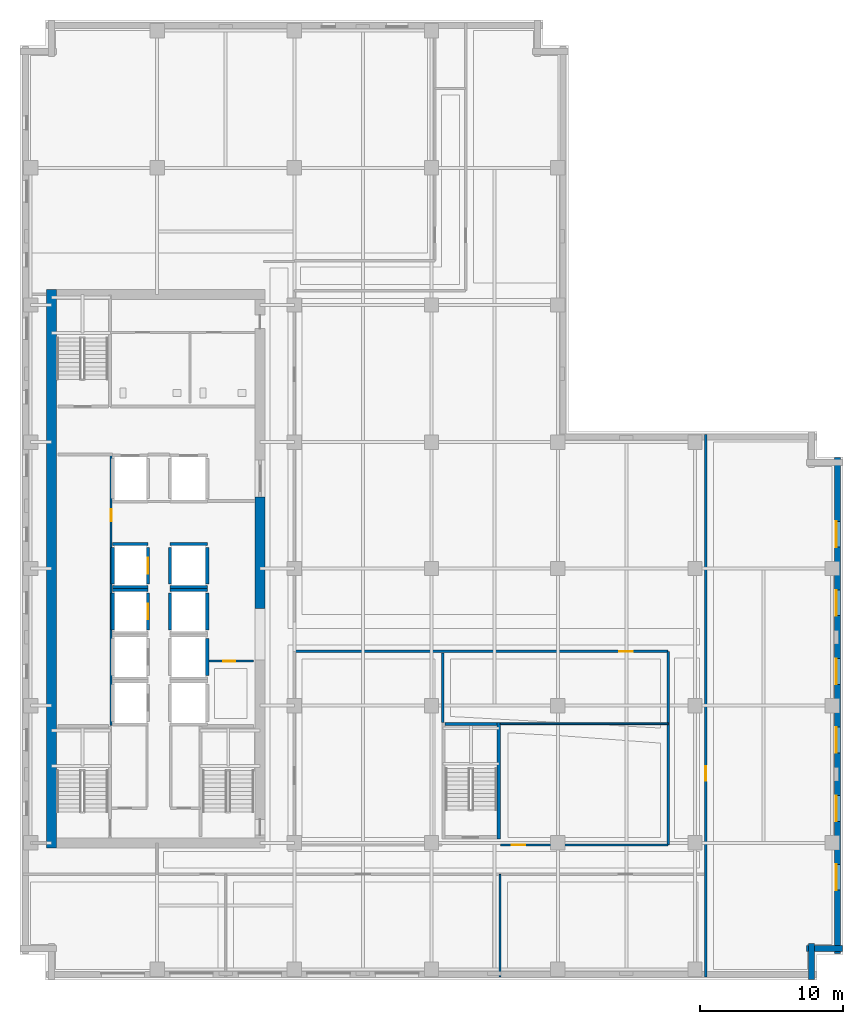
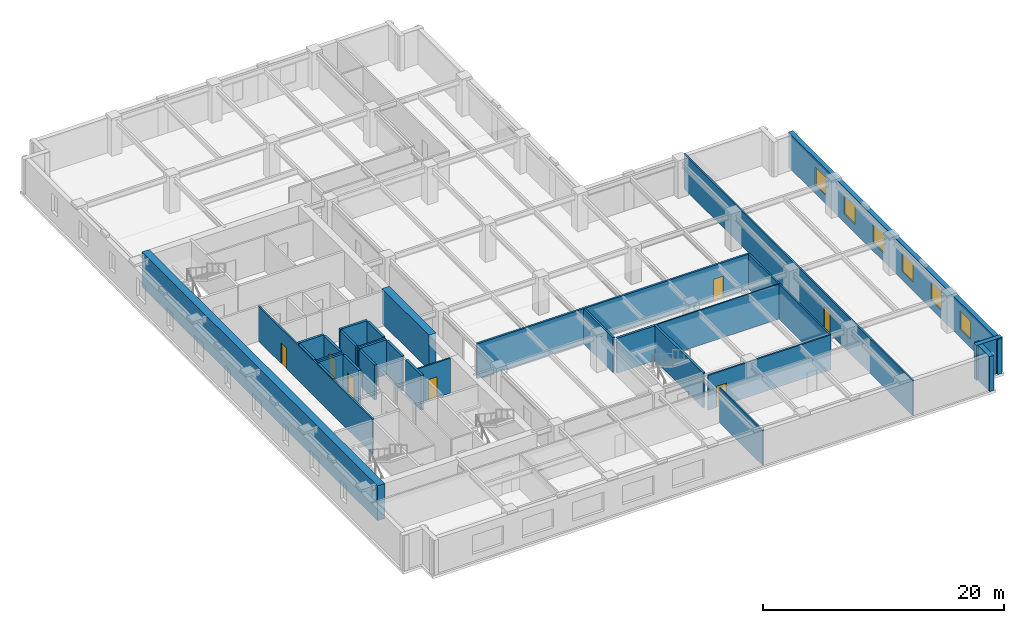
# One storey, part 5 of 12: 31 walls, 7 doors, 6 windows, 13 openings.
"""IFC4 building model written with IfcOpenShell, lengths in metres."""

from ifc_helpers import new_model, si_unit, direction, frame, frame_2d, origin, place, context, subcontext, project, spatial, rectangle, extrude, material, layer, layer_set, type_object, element, fill, save


model = new_model("IFC4")

# Units and contexts
model_context = context("Model", 3, precision=1e-05, world=origin(), true_north=direction((0.0, 1.0)))
body_context = subcontext(model_context, "Body", "Model", "MODEL_VIEW")
ifc_project = project(units=[si_unit("LENGTHUNIT", "METRE"), si_unit("AREAUNIT", "SQUARE_METRE"), si_unit("VOLUMEUNIT", "CUBIC_METRE"), si_unit("PLANEANGLEUNIT", "RADIAN"), si_unit("MASSUNIT", "GRAM", prefix="KILO")], contexts=[model_context])

# Site, building, storey
site_placement = place(None, origin())
site = spatial("IfcSite", under=ifc_project, at=site_placement, CompositionType="ELEMENT")
building_placement = place(site_placement, origin())
building = spatial("IfcBuilding", under=site, at=building_placement, Name="Norrvale University Quadrangle", CompositionType="ELEMENT")
storey_placement = place(building_placement, frame((0.0, 0.0, 139.39990234375)))
storey = spatial("IfcBuildingStorey", under=building, at=storey_placement, Name="L35", CompositionType="ELEMENT", Elevation=139.39990234375)

# Walls
ifc_material_1 = material(Name="Buff Norman Clay Brick Masonry", Category="masonry")
ifc_layer_1 = layer(ifc_material_1, 0.419921875, Name="Buff Norman Clay Brick Masonry")
ifc_layer_set_1 = layer_set([ifc_layer_1], Name="Buff Norman Clay Brick Masonry")
wall_type_1 = type_object("IfcWallType", Name="Wall Buff Brick 420", PredefinedType="SOLIDWALL", material=ifc_layer_set_1)
for number, where, z_axis, x_axis, name in (
    (1, (55.409912109375, 0.0400390625, 0.0), (0.0, 0.0, 1.0), (0.0, 1.0, 0.0), "Exterior Brick Facade Wall L35-02.1"),
    (2, (55.06005859375, 2.18994140625, 0.0), (0.0, 0.0, 1.0), (1.0, 0.0, 0.0), "Exterior Brick Facade Wall L35-03.1"),
):
    element("IfcWall", number, at=place(storey_placement, frame(where, z_axis=z_axis, x_axis=x_axis)), inside=storey, type_object=wall_type_1, Name=name, PredefinedType="SOLIDWALL", context=body_context, shape_type="SweptSolid", body=[
        extrude(rectangle(XDim=2.5, YDim=0.419921875, at=frame_2d((1.25, 0.0))), origin(), (0.0, 0.0, 1.0), 3.5400390625),
    ])

# Wall, openings, windows
wall_1_placement = place(storey_placement, frame((57.2099609375, 1.840087890625, 0.0), z_axis=(0.0, 0.0, 1.0), x_axis=(0.0, 1.0, 0.0)))
wall_1 = element("IfcWall", 3, at=wall_1_placement, inside=storey, type_object=wall_type_1, Name="Exterior Brick Facade Wall L35-04.1", PredefinedType="SOLIDWALL", context=body_context, shape_type="SweptSolid", body=[
    extrude(rectangle(XDim=34.719970703125, YDim=0.419921875, at=frame_2d((17.35986328125, 0.0))), origin(), (0.0, 0.0, 1.0), 3.5400390625),
])
opening_1_placement = place(wall_1_placement, frame((4.4599609375, 0.0, 0.85009765625)))
opening_1 = element("IfcOpeningElement", 4, at=opening_1_placement, cuts=wall_1, Name="Opening W01", PredefinedType="OPENING", context=body_context, shape_type="SweptSolid", body=[
    extrude(rectangle(XDim=1.800048828125, YDim=1.85009765625, at=frame_2d((0.89990234375, 0.925048828125))), frame((0.0, 0.221923828125, 0.0), z_axis=(0.0, -1.0, 0.0), x_axis=(1.0, 0.0, 0.0)), (0.0, 0.0, 1.0), 0.44384765625),
])
opening_2_placement = place(wall_1_placement, frame((9.260009765625, 0.0, 0.85009765625)))
opening_2 = element("IfcOpeningElement", 5, at=opening_2_placement, cuts=wall_1, Name="Opening W01", PredefinedType="OPENING", context=body_context, shape_type="SweptSolid", body=[
    extrude(rectangle(XDim=1.800048828125, YDim=1.85009765625, at=frame_2d((0.89990234375, 0.925048828125))), frame((0.0, 0.221923828125, 0.0), z_axis=(0.0, -1.0, 0.0), x_axis=(1.0, 0.0, 0.0)), (0.0, 0.0, 1.0), 0.44384765625),
])
opening_3_placement = place(wall_1_placement, frame((14.06005859375, 0.0, 0.85009765625)))
opening_3 = element("IfcOpeningElement", 6, at=opening_3_placement, cuts=wall_1, Name="Opening W01", PredefinedType="OPENING", context=body_context, shape_type="SweptSolid", body=[
    extrude(rectangle(XDim=1.800048828125, YDim=1.85009765625, at=frame_2d((0.89990234375, 0.925048828125))), frame((0.0, 0.221923828125, 0.0), z_axis=(0.0, -1.0, 0.0), x_axis=(1.0, 0.0, 0.0)), (0.0, 0.0, 1.0), 0.44384765625),
])
opening_4_placement = place(wall_1_placement, frame((18.860107421875, 0.0, 0.85009765625)))
opening_4 = element("IfcOpeningElement", 7, at=opening_4_placement, cuts=wall_1, Name="Opening W01", PredefinedType="OPENING", context=body_context, shape_type="SweptSolid", body=[
    extrude(rectangle(XDim=1.800048828125, YDim=1.85009765625, at=frame_2d((0.89990234375, 0.925048828125))), frame((0.0, 0.221923828125, 0.0), z_axis=(0.0, -1.0, 0.0), x_axis=(1.0, 0.0, 0.0)), (0.0, 0.0, 1.0), 0.44384765625),
])
opening_5_placement = place(wall_1_placement, frame((23.659912109375, 0.0, 0.85009765625)))
opening_5 = element("IfcOpeningElement", 8, at=opening_5_placement, cuts=wall_1, Name="Opening W01", PredefinedType="OPENING", context=body_context, shape_type="SweptSolid", body=[
    extrude(rectangle(XDim=1.800048828125, YDim=1.85009765625, at=frame_2d((0.89990234375, 0.925048828125))), frame((0.0, 0.221923828125, 0.0), z_axis=(0.0, -1.0, 0.0), x_axis=(1.0, 0.0, 0.0)), (0.0, 0.0, 1.0), 0.44384765625),
])
opening_6_placement = place(wall_1_placement, frame((28.4599609375, 0.0, 0.85009765625)))
opening_6 = element("IfcOpeningElement", 9, at=opening_6_placement, cuts=wall_1, Name="Opening W01", PredefinedType="OPENING", context=body_context, shape_type="SweptSolid", body=[
    extrude(rectangle(XDim=1.800048828125, YDim=1.85009765625, at=frame_2d((0.89990234375, 0.925048828125))), frame((0.0, 0.221923828125, 0.0), z_axis=(0.0, -1.0, 0.0), x_axis=(1.0, 0.0, 0.0)), (0.0, 0.0, 1.0), 0.44384765625),
])
ifc_material_2 = material(Name="Triple Low-E Argon Glazing", Category="glass")
window_type = type_object("IfcWindowType", Name="Window Academic 1800x2300", PartitioningType="DOUBLE_PANEL_VERTICAL", PredefinedType="WINDOW", material=ifc_material_2)
window_1_placement = place(opening_1_placement, origin())
window_1 = element("IfcWindow", 10, at=window_1_placement, inside=storey, type_object=window_type, Name="Window Academic 1800x2300 WIN-L35-E04-1-01", OverallHeight=1.85009765625, OverallWidth=1.800048828125, PartitioningType="DOUBLE_PANEL_VERTICAL", PredefinedType="WINDOW", context=body_context, shape_type="SweptSolid", body=[
    extrude(rectangle(XDim=1.800048828125, YDim=1.85009765625, at=frame_2d((0.89990234375, 0.925048828125))), frame((0.0, 0.110107421875, 0.0), z_axis=(0.0, -1.0, 0.0), x_axis=(1.0, 0.0, 0.0)), (0.0, 0.0, 1.0), 0.06005859375),
])
fill(opening_1, window_1)
window_2_placement = place(opening_2_placement, origin())
window_2 = element("IfcWindow", 11, at=window_2_placement, inside=storey, type_object=window_type, Name="Window Academic 1800x2300 WIN-L35-E04-1-02", OverallHeight=1.85009765625, OverallWidth=1.800048828125, PartitioningType="DOUBLE_PANEL_VERTICAL", PredefinedType="WINDOW", context=body_context, shape_type="SweptSolid", body=[
    extrude(rectangle(XDim=1.800048828125, YDim=1.85009765625, at=frame_2d((0.89990234375, 0.925048828125))), frame((0.0, 0.110107421875, 0.0), z_axis=(0.0, -1.0, 0.0), x_axis=(1.0, 0.0, 0.0)), (0.0, 0.0, 1.0), 0.06005859375),
])
fill(opening_2, window_2)
window_3_placement = place(opening_3_placement, origin())
window_3 = element("IfcWindow", 12, at=window_3_placement, inside=storey, type_object=window_type, Name="Window Academic 1800x2300 WIN-L35-E04-1-03", OverallHeight=1.85009765625, OverallWidth=1.800048828125, PartitioningType="DOUBLE_PANEL_VERTICAL", PredefinedType="WINDOW", context=body_context, shape_type="SweptSolid", body=[
    extrude(rectangle(XDim=1.800048828125, YDim=1.85009765625, at=frame_2d((0.89990234375, 0.925048828125))), frame((0.0, 0.110107421875, 0.0), z_axis=(0.0, -1.0, 0.0), x_axis=(1.0, 0.0, 0.0)), (0.0, 0.0, 1.0), 0.06005859375),
])
fill(opening_3, window_3)
window_4_placement = place(opening_4_placement, origin())
window_4 = element("IfcWindow", 13, at=window_4_placement, inside=storey, type_object=window_type, Name="Window Academic 1800x2300 WIN-L35-E04-1-04", OverallHeight=1.85009765625, OverallWidth=1.800048828125, PartitioningType="DOUBLE_PANEL_VERTICAL", PredefinedType="WINDOW", context=body_context, shape_type="SweptSolid", body=[
    extrude(rectangle(XDim=1.800048828125, YDim=1.85009765625, at=frame_2d((0.89990234375, 0.925048828125))), frame((0.0, 0.110107421875, 0.0), z_axis=(0.0, -1.0, 0.0), x_axis=(1.0, 0.0, 0.0)), (0.0, 0.0, 1.0), 0.06005859375),
])
fill(opening_4, window_4)
window_5_placement = place(opening_5_placement, origin())
window_5 = element("IfcWindow", 14, at=window_5_placement, inside=storey, type_object=window_type, Name="Window Academic 1800x2300 WIN-L35-E04-1-05", OverallHeight=1.85009765625, OverallWidth=1.800048828125, PartitioningType="DOUBLE_PANEL_VERTICAL", PredefinedType="WINDOW", context=body_context, shape_type="SweptSolid", body=[
    extrude(rectangle(XDim=1.800048828125, YDim=1.85009765625, at=frame_2d((0.89990234375, 0.925048828125))), frame((0.0, 0.110107421875, 0.0), z_axis=(0.0, -1.0, 0.0), x_axis=(1.0, 0.0, 0.0)), (0.0, 0.0, 1.0), 0.06005859375),
])
fill(opening_5, window_5)
window_6_placement = place(opening_6_placement, origin())
window_6 = element("IfcWindow", 15, at=window_6_placement, inside=storey, type_object=window_type, Name="Window Academic 1800x2300 WIN-L35-E04-1-06", OverallHeight=1.85009765625, OverallWidth=1.800048828125, PartitioningType="DOUBLE_PANEL_VERTICAL", PredefinedType="WINDOW", context=body_context, shape_type="SweptSolid", body=[
    extrude(rectangle(XDim=1.800048828125, YDim=1.85009765625, at=frame_2d((0.89990234375, 0.925048828125))), frame((0.0, 0.110107421875, 0.0), z_axis=(0.0, -1.0, 0.0), x_axis=(1.0, 0.0, 0.0)), (0.0, 0.0, 1.0), 0.06005859375),
])
fill(opening_6, window_6)

# Walls
ifc_material_3 = material(Name="Concrete C60/75", Category="concrete")
ifc_layer_2 = layer(ifc_material_3, 0.699951171875, Name="Concrete C60/75")
ifc_layer_set_2 = layer_set([ifc_layer_2], Name="Concrete C60/75")
wall_type_2 = type_object("IfcWallType", Name="Wall Core 700", PredefinedType="SHEAR", material=ifc_layer_set_2)
wall_2_placement = place(storey_placement, frame((2.199951171875, 9.25, 0.0), z_axis=(0.0, 0.0, 1.0), x_axis=(0.0, 1.0, 0.0)))
element("IfcWall", 16, at=wall_2_placement, inside=storey, type_object=wall_type_2, Name="Tower Core Shear Wall L35-W", PredefinedType="SHEAR", context=body_context, shape_type="SweptSolid", body=[
    extrude(rectangle(XDim=39.10009765625, YDim=0.699951171875, at=frame_2d((19.550048828125, 0.0))), origin(), (0.0, 0.0, 1.0), 3.5400390625),
])
wall_3_placement = place(storey_placement, frame((16.800048828125, 26.0, 0.0), z_axis=(0.0, 0.0, 1.0), x_axis=(0.0, 1.0, 0.0)))
element("IfcWall", 17, at=wall_3_placement, inside=storey, type_object=wall_type_2, Name="Tower Core Shear Wall L35-E2", PredefinedType="SHEAR", context=body_context, shape_type="SweptSolid", body=[
    extrude(rectangle(XDim=7.800048828125, YDim=0.699951171875, at=frame_2d((3.89990234375, 0.0))), origin(), (0.0, 0.0, 1.0), 3.5400390625),
])
ifc_material_4 = material(Name="Standard Academic Gypsum Partition")
ifc_layer_3 = layer(ifc_material_4, 0.125, Name="Standard Academic Gypsum Partition")
ifc_layer_set_3 = layer_set([ifc_layer_3], Name="Standard Academic Gypsum Partition")
wall_type_3 = type_object("IfcWallType", Name="Wall Gypsum Academic 125", PredefinedType="PARTITIONING", material=ifc_layer_set_3)
wall_4_placement = place(storey_placement, frame((33.60009765625, 0.219970703125, 0.0), z_axis=(0.0, 0.0, 1.0), x_axis=(0.0, 1.0, 0.0)))
element("IfcWall", 18, at=wall_4_placement, inside=storey, type_object=wall_type_3, Name="Interior Partition WL-L35-SP02", PredefinedType="PARTITIONING", context=body_context, shape_type="SweptSolid", body=[
    extrude(rectangle(XDim=7.179931640625, YDim=0.125, at=frame_2d((3.58984375, 0.0))), origin(), (0.0, 0.0, 1.0), 3.5400390625),
])
wall_5_placement = place(storey_placement, frame((33.6201171875, 17.93994140625, 0.0), z_axis=(0.0, 0.0, 1.0), x_axis=(1.0, 0.0, 0.0)))
element("IfcWall", 19, at=wall_5_placement, inside=storey, type_object=wall_type_3, Name="Interior Partition WL-L35-ISLH", PredefinedType="PARTITIONING", context=body_context, shape_type="SweptSolid", body=[
    extrude(rectangle(XDim=11.7548828125, YDim=0.125, at=frame_2d((5.87744140625, 0.0))), origin(), (0.0, 0.0, 1.0), 3.5400390625),
])

# Wall, opening, door
ifc_material_5 = material(Name="Fire-Rated Gypsum Stud Partition")
ifc_layer_4 = layer(ifc_material_5, 0.14990234375, Name="Fire-Rated Gypsum Stud Partition")
ifc_layer_set_4 = layer_set([ifc_layer_4], Name="Fire-Rated Gypsum Stud Partition")
wall_type_4 = type_object("IfcWallType", Name="Wall Gypsum Corridor 150", PredefinedType="PARTITIONING", material=ifc_layer_set_4)
wall_6_placement = place(storey_placement, frame((13.22509765625, 22.320068359375, 0.0), z_axis=(0.0, 0.0, 1.0), x_axis=(1.0, 0.0, 0.0)))
wall_6 = element("IfcWall", 20, at=wall_6_placement, inside=storey, type_object=wall_type_4, Name="Interior Partition WL-L35-JAN-N", PredefinedType="PARTITIONING", context=body_context, shape_type="SweptSolid", body=[
    extrude(rectangle(XDim=3.119873046875, YDim=0.14990234375, at=frame_2d((1.56005859375, 0.0))), origin(), (0.0, 0.0, 1.0), 3.5400390625),
])
opening_7_placement = place(wall_6_placement, frame((1.0, 0.0, 0.0)))
opening_7 = element("IfcOpeningElement", 21, at=opening_7_placement, cuts=wall_6, Name="Opening D10", PredefinedType="OPENING", context=body_context, shape_type="SweptSolid", body=[
    extrude(rectangle(XDim=0.85009765625, YDim=2.10009765625, at=frame_2d((0.425048828125, 1.050048828125))), frame((0.0, 0.0869140625, 0.0), z_axis=(0.0, -1.0, 0.0), x_axis=(1.0, 0.0, 0.0)), (0.0, 0.0, 1.0), 0.173828125),
])
ifc_material_6 = material(Name="Hollow Steel 350W Riser Fire Door", Category="steel")
door_type_1 = type_object("IfcDoorType", Name="Door Riser 850x2100", OperationType="NOTDEFINED", PredefinedType="DOOR", material=ifc_material_6)
door_1_placement = place(opening_7_placement, origin())
door_1 = element("IfcDoor", 22, at=door_1_placement, inside=storey, type_object=door_type_1, Name="Door Riser 850x2100 DR-L35-JAN", OperationType="SINGLE_SWING_LEFT", OverallHeight=2.10009765625, OverallWidth=0.85009765625, PredefinedType="DOOR", context=body_context, shape_type="SweptSolid", body=[
    extrude(rectangle(XDim=0.85009765625, YDim=2.10009765625, at=frame_2d((0.425048828125, 1.050048828125))), frame((0.0, 0.02490234375, 0.0), z_axis=(0.0, -1.0, 0.0), x_axis=(1.0, 0.0, 0.0)), (0.0, 0.0, 1.0), 0.050048828125),
])
fill(opening_7, door_1)

wall_7_placement = place(storey_placement, frame((6.3798828125, 17.800048828125, 0.0), z_axis=(0.0, 0.0, 1.0), x_axis=(0.0, 1.0, 0.0)))
wall_7 = element("IfcWall", 23, at=wall_7_placement, inside=storey, type_object=wall_type_4, Name="Interior Partition WL-L35-WME-E", PredefinedType="PARTITIONING", context=body_context, shape_type="SweptSolid", body=[
    extrude(rectangle(XDim=18.97998046875, YDim=0.14990234375, at=frame_2d((9.489990234375, 0.0))), origin(), (0.0, 0.0, 1.0), 3.5400390625),
])
opening_8_placement = place(wall_7_placement, frame((14.300048828125, 0.0, 0.0)))
opening_8 = element("IfcOpeningElement", 24, at=opening_8_placement, cuts=wall_7, Name="Opening D10", PredefinedType="OPENING", context=body_context, shape_type="SweptSolid", body=[
    extrude(rectangle(XDim=0.85009765625, YDim=2.10009765625, at=frame_2d((0.425048828125, 1.050048828125))), frame((0.0, 0.0869140625, 0.0), z_axis=(0.0, -1.0, 0.0), x_axis=(1.0, 0.0, 0.0)), (0.0, 0.0, 1.0), 0.173828125),
])
door_2_placement = place(opening_8_placement, origin())
door_2 = element("IfcDoor", 25, at=door_2_placement, inside=storey, type_object=door_type_1, Name="Door Riser 850x2100 DR-L35-WME", OperationType="SINGLE_SWING_LEFT", OverallHeight=2.10009765625, OverallWidth=0.85009765625, PredefinedType="DOOR", context=body_context, shape_type="SweptSolid", body=[
    extrude(rectangle(XDim=0.85009765625, YDim=2.10009765625, at=frame_2d((0.425048828125, 1.050048828125))), frame((0.0, 0.02490234375, 0.0), z_axis=(0.0, -1.0, 0.0), x_axis=(1.0, 0.0, 0.0)), (0.0, 0.0, 1.0), 0.050048828125),
])
fill(opening_8, door_2)

wall_8_placement = place(storey_placement, frame((48.0, 0.219970703125, 0.0), z_axis=(0.0, 0.0, 1.0), x_axis=(0.0, 1.0, 0.0)))
wall_8 = element("IfcWall", 26, at=wall_8_placement, inside=storey, type_object=wall_type_4, Name="Interior Partition WL-L35-ECW", PredefinedType="PARTITIONING", context=body_context, shape_type="SweptSolid", body=[
    extrude(rectangle(XDim=37.9599609375, YDim=0.14990234375, at=frame_2d((18.97998046875, 0.0))), origin(), (0.0, 0.0, 1.0), 3.5400390625),
])
opening_9_placement = place(wall_8_placement, frame((13.72998046875, 0.0, 0.0)))
opening_9 = element("IfcOpeningElement", 27, at=opening_9_placement, cuts=wall_8, Name="Opening D04", PredefinedType="OPENING", context=body_context, shape_type="SweptSolid", body=[
    extrude(rectangle(XDim=1.0, YDim=2.199951171875, at=frame_2d((0.5, 1.10009765625))), frame((0.0, 0.0869140625, 0.0), z_axis=(0.0, -1.0, 0.0), x_axis=(1.0, 0.0, 0.0)), (0.0, 0.0, 1.0), 0.173828125),
])
ifc_material_7 = material(Name="Solid-Core Oak Fire Door", Category="wood")
door_type_2 = type_object("IfcDoorType", Name="Door Corridor 1000x2200", OperationType="NOTDEFINED", PredefinedType="DOOR", material=ifc_material_7)
door_3_placement = place(opening_9_placement, origin())
door_3 = element("IfcDoor", 28, at=door_3_placement, inside=storey, type_object=door_type_2, Name="Door Corridor 1000x2200 DR-L35-E01", OperationType="SINGLE_SWING_RIGHT", OverallHeight=2.199951171875, OverallWidth=1.0, PredefinedType="DOOR", context=body_context, shape_type="SweptSolid", body=[
    extrude(rectangle(XDim=1.0, YDim=2.199951171875, at=frame_2d((0.5, 1.10009765625))), frame((0.0, 0.02490234375, 0.0), z_axis=(0.0, -1.0, 0.0), x_axis=(1.0, 0.0, 0.0)), (0.0, 0.0, 1.0), 0.050048828125),
])
fill(opening_9, door_3)

wall_9_placement = place(storey_placement, frame((33.6201171875, 9.449951171875, 0.0), z_axis=(0.0, 0.0, 1.0), x_axis=(1.0, 0.0, 0.0)))
wall_9 = element("IfcWall", 29, at=wall_9_placement, inside=storey, type_object=wall_type_4, Name="Interior Partition WL-L35-ISLS2", PredefinedType="PARTITIONING", context=body_context, shape_type="SweptSolid", body=[
    extrude(rectangle(XDim=11.7548828125, YDim=0.14990234375, at=frame_2d((5.87744140625, 0.0))), origin(), (0.0, 0.0, 1.0), 3.5400390625),
])
opening_10_placement = place(wall_9_placement, frame((0.800048828125, 0.0, 0.0)))
opening_10 = element("IfcOpeningElement", 30, at=opening_10_placement, cuts=wall_9, Name="Opening D07", PredefinedType="OPENING", context=body_context, shape_type="SweptSolid", body=[
    extrude(rectangle(XDim=0.949951171875, YDim=2.14990234375, at=frame_2d((0.47509765625, 1.074951171875))), frame((0.0, 0.0869140625, 0.0), z_axis=(0.0, -1.0, 0.0), x_axis=(1.0, 0.0, 0.0)), (0.0, 0.0, 1.0), 0.173828125),
])
ifc_material_8 = material(Name="Solid-Core Maple Door", Category="wood")
door_type_3 = type_object("IfcDoorType", Name="Door Office 950x2150", OperationType="NOTDEFINED", PredefinedType="DOOR", material=ifc_material_8)
door_4_placement = place(opening_10_placement, origin())
door_4 = element("IfcDoor", 31, at=door_4_placement, inside=storey, type_object=door_type_3, Name="Door Office 950x2150 DR-L35-ISE", OperationType="SINGLE_SWING_LEFT", OverallHeight=2.14990234375, OverallWidth=0.949951171875, PredefinedType="DOOR", context=body_context, shape_type="SweptSolid", body=[
    extrude(rectangle(XDim=0.949951171875, YDim=2.14990234375, at=frame_2d((0.47509765625, 1.074951171875))), frame((0.0, 0.02490234375, 0.0), z_axis=(0.0, -1.0, 0.0), x_axis=(1.0, 0.0, 0.0)), (0.0, 0.0, 1.0), 0.050048828125),
])
fill(opening_10, door_4)

# Walls
wall_10_placement = place(storey_placement, frame((45.375, 9.449951171875, 0.0), z_axis=(0.0, 0.0, 1.0), x_axis=(0.0, 1.0, 0.0)))
element("IfcWall", 32, at=wall_10_placement, inside=storey, type_object=wall_type_4, Name="Interior Partition WL-L35-ISLE", PredefinedType="PARTITIONING", context=body_context, shape_type="SweptSolid", body=[
    extrude(rectangle(XDim=13.550048828125, YDim=0.14990234375, at=frame_2d((6.77490234375, 0.0))), origin(), (0.0, 0.0, 1.0), 3.5400390625),
])
ifc_material_9 = material(Name="Acoustic Double-Stud Gypsum Partition")
ifc_layer_5 = layer(ifc_material_9, 0.179931640625, Name="Acoustic Double-Stud Gypsum Partition")
ifc_layer_set_5 = layer_set([ifc_layer_5], Name="Acoustic Double-Stud Gypsum Partition")
wall_type_5 = type_object("IfcWallType", Name="Wall Gypsum Lecture 180", PredefinedType="PARTITIONING", material=ifc_layer_set_5)
wall_11_placement = place(storey_placement, frame((29.580078125, 18.02490234375, 0.0), z_axis=(0.0, 0.0, 1.0), x_axis=(0.0, 1.0, 0.0)))
element("IfcWall", 33, at=wall_11_placement, inside=storey, type_object=wall_type_5, Name="Interior Partition WL-L35-ISLD", PredefinedType="PARTITIONING", context=body_context, shape_type="SweptSolid", body=[
    extrude(rectangle(XDim=4.880126953125, YDim=0.179931640625, at=frame_2d((2.43994140625, 0.0))), origin(), (0.0, 0.0, 1.0), 3.5400390625),
])

# Wall, opening, door
wall_12_placement = place(storey_placement, frame((19.280029296875, 23.0, 0.0), z_axis=(0.0, 0.0, 1.0), x_axis=(1.0, 0.0, 0.0)))
wall_12 = element("IfcWall", 34, at=wall_12_placement, inside=storey, type_object=wall_type_5, Name="Interior Partition WL-L35-ISLN", PredefinedType="PARTITIONING", context=body_context, shape_type="SweptSolid", body=[
    extrude(rectangle(XDim=26.094970703125, YDim=0.179931640625, at=frame_2d((13.04736328125, 0.0))), origin(), (0.0, 0.0, 1.0), 3.5400390625),
])
opening_11_placement = place(wall_12_placement, frame((22.669921875, 0.0, 0.0)))
opening_11 = element("IfcOpeningElement", 35, at=opening_11_placement, cuts=wall_12, Name="Opening D07", PredefinedType="OPENING", context=body_context, shape_type="SweptSolid", body=[
    extrude(rectangle(XDim=0.949951171875, YDim=2.14990234375, at=frame_2d((0.47509765625, 1.074951171875))), frame((0.0, 0.10205078125, 0.0), z_axis=(0.0, -1.0, 0.0), x_axis=(1.0, 0.0, 0.0)), (0.0, 0.0, 1.0), 0.203857421875),
])
door_5_placement = place(opening_11_placement, origin())
door_5 = element("IfcDoor", 36, at=door_5_placement, inside=storey, type_object=door_type_3, Name="Door Office 950x2150 DR-L35-ILH", OperationType="SINGLE_SWING_RIGHT", OverallHeight=2.14990234375, OverallWidth=0.949951171875, PredefinedType="DOOR", context=body_context, shape_type="SweptSolid", body=[
    extrude(rectangle(XDim=0.949951171875, YDim=2.14990234375, at=frame_2d((0.47509765625, 1.074951171875))), frame((0.0, 0.02490234375, 0.0), z_axis=(0.0, -1.0, 0.0), x_axis=(1.0, 0.0, 0.0)), (0.0, 0.0, 1.0), 0.050048828125),
])
fill(opening_11, door_5)

# Walls
ifc_material_10 = material(Name="Concrete Blockwork 20 MPa Fire Shaft", Category="masonry")
ifc_layer_6 = layer(ifc_material_10, 0.219970703125, Name="Concrete Blockwork 20 MPa Fire Shaft")
ifc_layer_set_6 = layer_set([ifc_layer_6], Name="Concrete Blockwork 20 MPa Fire Shaft")
wall_type_6 = type_object("IfcWallType", Name="Wall Shaft 220", PredefinedType="SOLIDWALL", material=ifc_layer_set_6)
wall_13_placement = place(storey_placement, frame((33.510009765625, 9.8798828125, 0.0), z_axis=(0.0, 0.0, 1.0), x_axis=(0.0, 1.0, 0.0)))
element("IfcWall", 37, at=wall_13_placement, inside=storey, type_object=wall_type_6, Name="Stair ST-04 East Shaft Wall L35", PredefinedType="SOLIDWALL", context=body_context, shape_type="SweptSolid", body=[
    extrude(rectangle(XDim=8.14013671875, YDim=0.219970703125, at=frame_2d((4.070068359375, 0.0))), origin(), (0.0, 0.0, 1.0), 3.5400390625),
])
wall_14_placement = place(storey_placement, frame((29.75, 17.909912109375, 0.0), z_axis=(0.0, 0.0, 1.0), x_axis=(1.0, 0.0, 0.0)))
element("IfcWall", 38, at=wall_14_placement, inside=storey, type_object=wall_type_6, Name="Stair ST-04 North Shaft Wall L35", PredefinedType="SOLIDWALL", context=body_context, shape_type="SweptSolid", body=[
    extrude(rectangle(XDim=3.64990234375, YDim=0.219970703125, at=frame_2d((1.824951171875, 0.0))), origin(), (0.0, 0.0, 1.0), 3.5400390625),
])
wall_15_placement = place(storey_placement, frame((6.489990234375, 24.510009765625, 0.0), z_axis=(0.0, 0.0, 1.0), x_axis=(0.0, 1.0, 0.0)))
element("IfcWall", 39, at=wall_15_placement, inside=storey, type_object=wall_type_6, Name="Hoistway PL-03 West Wall L35", PredefinedType="SOLIDWALL", context=body_context, shape_type="SweptSolid", body=[
    extrude(rectangle(XDim=2.580078125, YDim=0.219970703125, at=frame_2d((1.2900390625, 0.0))), origin(), (0.0, 0.0, 1.0), 3.5400390625),
])

# Wall, opening, door
wall_16_placement = place(storey_placement, frame((8.9599609375, 24.510009765625, 0.0), z_axis=(0.0, 0.0, 1.0), x_axis=(0.0, 1.0, 0.0)))
wall_16 = element("IfcWall", 40, at=wall_16_placement, inside=storey, type_object=wall_type_6, Name="Hoistway PL-03 East Wall L35", PredefinedType="SOLIDWALL", context=body_context, shape_type="SweptSolid", body=[
    extrude(rectangle(XDim=2.580078125, YDim=0.219970703125, at=frame_2d((1.2900390625, 0.0))), origin(), (0.0, 0.0, 1.0), 3.5400390625),
])
opening_12_placement = place(wall_16_placement, frame((0.739990234375, 0.0, 0.0)))
opening_12 = element("IfcOpeningElement", 41, at=opening_12_placement, cuts=wall_16, Name="Opening LD1", PredefinedType="OPENING", context=body_context, shape_type="SweptSolid", body=[
    extrude(rectangle(XDim=1.10009765625, YDim=2.199951171875, at=frame_2d((0.550048828125, 1.10009765625))), frame((0.0, 0.1220703125, 0.0), z_axis=(0.0, -1.0, 0.0), x_axis=(1.0, 0.0, 0.0)), (0.0, 0.0, 1.0), 0.243896484375),
])
ifc_material_11 = material(Name="Stainless Steel 316L Lift Landing Door", Category="steel")
door_type_4 = type_object("IfcDoorType", Name="Door Lift Landing 1100x2200", OperationType="DOUBLE_DOOR_SLIDING", PredefinedType="DOOR", material=ifc_material_11)
door_6_placement = place(opening_12_placement, origin())
door_6 = element("IfcDoor", 42, at=door_6_placement, inside=storey, type_object=door_type_4, Name="Elevator Landing Door DR-L35-PL-03", OperationType="DOUBLE_DOOR_SLIDING", OverallHeight=2.199951171875, OverallWidth=1.10009765625, PredefinedType="DOOR", context=body_context, shape_type="SweptSolid", body=[
    extrude(rectangle(XDim=1.10009765625, YDim=2.199951171875, at=frame_2d((0.550048828125, 1.10009765625))), frame((0.0, 0.02490234375, 0.0), z_axis=(0.0, -1.0, 0.0), x_axis=(1.0, 0.0, 0.0)), (0.0, 0.0, 1.0), 0.050048828125),
])
fill(opening_12, door_6)

# Walls
wall_17_placement = place(storey_placement, frame((6.489990234375, 27.31005859375, 0.0), z_axis=(0.0, 0.0, 1.0), x_axis=(1.0, 0.0, 0.0)))
element("IfcWall", 43, at=wall_17_placement, inside=storey, type_object=wall_type_6, Name="Hoistway PL-03 North Wall L35", PredefinedType="SOLIDWALL", context=body_context, shape_type="SweptSolid", body=[
    extrude(rectangle(XDim=2.469970703125, YDim=0.219970703125, at=frame_2d((1.23486328125, 0.0))), origin(), (0.0, 0.0, 1.0), 3.5400390625),
])
wall_18_placement = place(storey_placement, frame((6.489990234375, 27.7099609375, 0.0), z_axis=(0.0, 0.0, 1.0), x_axis=(0.0, 1.0, 0.0)))
element("IfcWall", 44, at=wall_18_placement, inside=storey, type_object=wall_type_6, Name="Hoistway PL-04 West Wall L35", PredefinedType="SOLIDWALL", context=body_context, shape_type="SweptSolid", body=[
    extrude(rectangle(XDim=2.580078125, YDim=0.219970703125, at=frame_2d((1.2900390625, 0.0))), origin(), (0.0, 0.0, 1.0), 3.5400390625),
])

# Wall, opening, door
wall_19_placement = place(storey_placement, frame((8.9599609375, 27.7099609375, 0.0), z_axis=(0.0, 0.0, 1.0), x_axis=(0.0, 1.0, 0.0)))
wall_19 = element("IfcWall", 45, at=wall_19_placement, inside=storey, type_object=wall_type_6, Name="Hoistway PL-04 East Wall L35", PredefinedType="SOLIDWALL", context=body_context, shape_type="SweptSolid", body=[
    extrude(rectangle(XDim=2.580078125, YDim=0.219970703125, at=frame_2d((1.2900390625, 0.0))), origin(), (0.0, 0.0, 1.0), 3.5400390625),
])
opening_13_placement = place(wall_19_placement, frame((0.739990234375, 0.0, 0.0)))
opening_13 = element("IfcOpeningElement", 46, at=opening_13_placement, cuts=wall_19, Name="Opening LD1", PredefinedType="OPENING", context=body_context, shape_type="SweptSolid", body=[
    extrude(rectangle(XDim=1.10009765625, YDim=2.199951171875, at=frame_2d((0.550048828125, 1.10009765625))), frame((0.0, 0.1220703125, 0.0), z_axis=(0.0, -1.0, 0.0), x_axis=(1.0, 0.0, 0.0)), (0.0, 0.0, 1.0), 0.243896484375),
])
door_7_placement = place(opening_13_placement, origin())
door_7 = element("IfcDoor", 47, at=door_7_placement, inside=storey, type_object=door_type_4, Name="Elevator Landing Door DR-L35-PL-04", OperationType="DOUBLE_DOOR_SLIDING", OverallHeight=2.199951171875, OverallWidth=1.10009765625, PredefinedType="DOOR", context=body_context, shape_type="SweptSolid", body=[
    extrude(rectangle(XDim=1.10009765625, YDim=2.199951171875, at=frame_2d((0.550048828125, 1.10009765625))), frame((0.0, 0.02490234375, 0.0), z_axis=(0.0, -1.0, 0.0), x_axis=(1.0, 0.0, 0.0)), (0.0, 0.0, 1.0), 0.050048828125),
])
fill(opening_13, door_7)

# Walls
for number, where, z_axis, x_axis, name in (
    (48, (6.489990234375, 27.489990234375, 0.0), (0.0, 0.0, 1.0), (1.0, 0.0, 0.0), "Hoistway PL-04 South Wall L35"),
    (49, (6.489990234375, 30.510009765625, 0.0), (0.0, 0.0, 1.0), (1.0, 0.0, 0.0), "Hoistway PL-04 North Wall L35"),
):
    element("IfcWall", number, at=place(storey_placement, frame(where, z_axis=z_axis, x_axis=x_axis)), inside=storey, type_object=wall_type_6, Name=name, PredefinedType="SOLIDWALL", context=body_context, shape_type="SweptSolid", body=[
        extrude(rectangle(XDim=2.469970703125, YDim=0.219970703125, at=frame_2d((1.23486328125, 0.0))), origin(), (0.0, 0.0, 1.0), 3.5400390625),
    ])
wall_20_placement = place(storey_placement, frame((13.110107421875, 21.31005859375, 0.0), z_axis=(0.0, 0.0, 1.0), x_axis=(0.0, 1.0, 0.0)))
element("IfcWall", 50, at=wall_20_placement, inside=storey, type_object=wall_type_6, Name="Hoistway PL-06 East Wall L35", PredefinedType="SOLIDWALL", context=body_context, shape_type="SweptSolid", body=[
    extrude(rectangle(XDim=2.579833984375, YDim=0.219970703125, at=frame_2d((1.2900390625, 0.0))), origin(), (0.0, 0.0, 1.0), 3.5400390625),
])
for number, where, z_axis, x_axis, name in (
    (51, (10.489990234375, 24.510009765625, 0.0), (0.0, 0.0, 1.0), (0.0, 1.0, 0.0), "Hoistway PL-07 West Wall L35"),
    (52, (13.110107421875, 24.510009765625, 0.0), (0.0, 0.0, 1.0), (0.0, 1.0, 0.0), "Hoistway PL-07 East Wall L35"),
):
    element("IfcWall", number, at=place(storey_placement, frame(where, z_axis=z_axis, x_axis=x_axis)), inside=storey, type_object=wall_type_6, Name=name, PredefinedType="SOLIDWALL", context=body_context, shape_type="SweptSolid", body=[
        extrude(rectangle(XDim=2.580078125, YDim=0.219970703125, at=frame_2d((1.2900390625, 0.0))), origin(), (0.0, 0.0, 1.0), 3.5400390625),
    ])
wall_21_placement = place(storey_placement, frame((10.489990234375, 27.31005859375, 0.0), z_axis=(0.0, 0.0, 1.0), x_axis=(1.0, 0.0, 0.0)))
element("IfcWall", 53, at=wall_21_placement, inside=storey, type_object=wall_type_6, Name="Hoistway PL-07 North Wall L35", PredefinedType="SOLIDWALL", context=body_context, shape_type="SweptSolid", body=[
    extrude(rectangle(XDim=2.6201171875, YDim=0.219970703125, at=frame_2d((1.31005859375, 0.0))), origin(), (0.0, 0.0, 1.0), 3.5400390625),
])
for number, where, z_axis, x_axis, name in (
    (54, (10.489990234375, 27.7099609375, 0.0), (0.0, 0.0, 1.0), (0.0, 1.0, 0.0), "Hoistway PL-08 West Wall L35"),
    (55, (13.110107421875, 27.7099609375, 0.0), (0.0, 0.0, 1.0), (0.0, 1.0, 0.0), "Hoistway PL-08 East Wall L35"),
):
    element("IfcWall", number, at=place(storey_placement, frame(where, z_axis=z_axis, x_axis=x_axis)), inside=storey, type_object=wall_type_6, Name=name, PredefinedType="SOLIDWALL", context=body_context, shape_type="SweptSolid", body=[
        extrude(rectangle(XDim=2.580078125, YDim=0.219970703125, at=frame_2d((1.2900390625, 0.0))), origin(), (0.0, 0.0, 1.0), 3.5400390625),
    ])
for number, where, z_axis, x_axis, name in (
    (56, (10.489990234375, 27.489990234375, 0.0), (0.0, 0.0, 1.0), (1.0, 0.0, 0.0), "Hoistway PL-08 South Wall L35"),
    (57, (10.489990234375, 30.510009765625, 0.0), (0.0, 0.0, 1.0), (1.0, 0.0, 0.0), "Hoistway PL-08 North Wall L35"),
):
    element("IfcWall", number, at=place(storey_placement, frame(where, z_axis=z_axis, x_axis=x_axis)), inside=storey, type_object=wall_type_6, Name=name, PredefinedType="SOLIDWALL", context=body_context, shape_type="SweptSolid", body=[
        extrude(rectangle(XDim=2.6201171875, YDim=0.219970703125, at=frame_2d((1.31005859375, 0.0))), origin(), (0.0, 0.0, 1.0), 3.5400390625),
    ])

save(model, "model.ifc")
